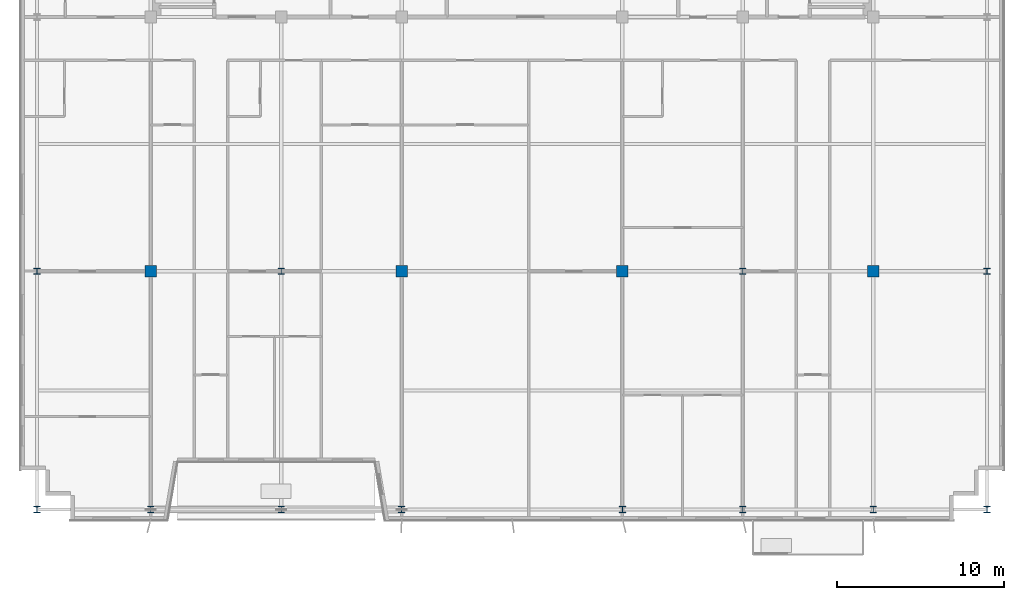
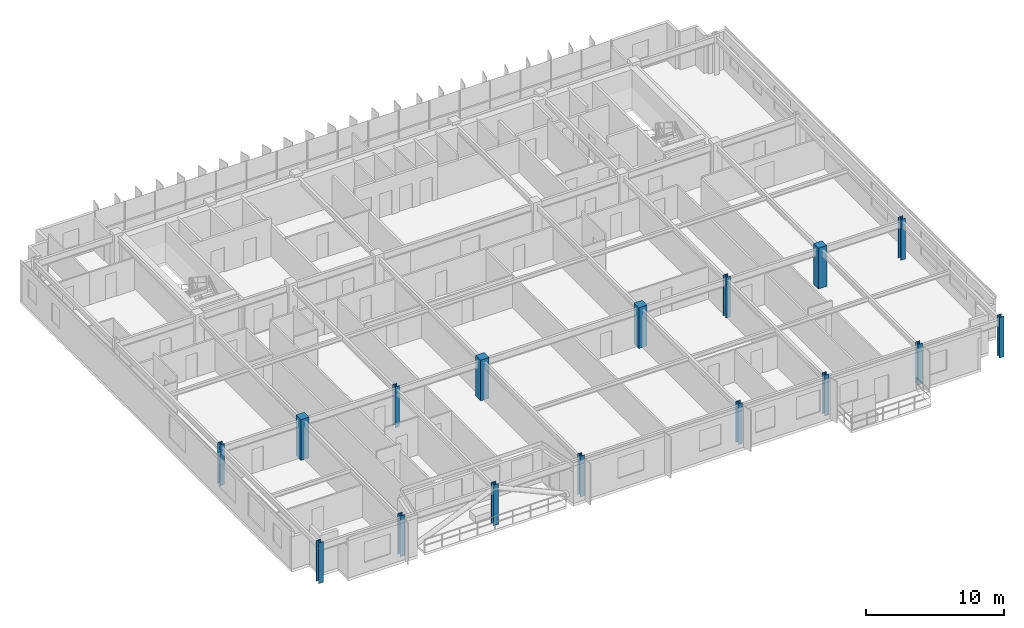
# One storey, part 1 of 20: 16 columns.
"""IFC4 building model written with IfcOpenShell, lengths in metres."""

from ifc_helpers import new_model, si_unit, direction, frame, origin, origin_2d, place, context, subcontext, project, spatial, rectangle, i_section, extrude, source, transform, mapped, material, material_profile, profile_set, type_object, element, save


model = new_model("IFC4")

# Units and contexts
model_context = context("Model", 3, precision=1e-05, world=origin(), true_north=direction((0.0, 1.0)))
body_context = subcontext(model_context, "Body", "Model", "MODEL_VIEW")
ifc_project = project(units=[si_unit("LENGTHUNIT", "METRE"), si_unit("AREAUNIT", "SQUARE_METRE"), si_unit("VOLUMEUNIT", "CUBIC_METRE"), si_unit("PLANEANGLEUNIT", "RADIAN"), si_unit("MASSUNIT", "GRAM", prefix="KILO")], contexts=[model_context])

# Site, building, storey
site_placement = place(None, origin())
site = spatial("IfcSite", under=ifc_project, at=site_placement, CompositionType="ELEMENT")
building_placement = place(site_placement, origin())
building = spatial("IfcBuilding", under=site, at=building_placement, Name="Trelvane Seafront Commons", CompositionType="ELEMENT")
storey_placement = place(building_placement, frame((0.0, 0.0, 171.699951171875)))
storey = spatial("IfcBuildingStorey", under=building, at=storey_placement, Name="L45", CompositionType="ELEMENT", Elevation=171.699951171875)

# Columns
ifc_material_1 = material(Name="Steel SM355 (S355)", Category="steel")
ifc_material_profile_1 = material_profile(ifc_material_1, i_section(OverallWidth=0.3798828125, OverallDepth=0.3798828125, WebThickness=0.02001953125, FlangeThickness=0.030029296875, at=origin_2d()), Name="HD-380x380x20x30")
ifc_profile_set_1 = profile_set([ifc_material_profile_1], Name="Steel SM355 (S355)")
column_type_1 = type_object("IfcColumnType", Name="STR-COL-HD380", PredefinedType="COLUMN", material=ifc_profile_set_1)
shared_shape_1 = source(origin(), body_context, "Body", "SweptSolid", [
    extrude(i_section(OverallWidth=0.3798828125, OverallDepth=0.3798828125, WebThickness=0.02001953125, FlangeThickness=0.030029296875, at=origin_2d()), origin(), (0.0, 0.0, 1.0), 3.60009765625),
])
for number, where, z_axis, x_axis, name in (
    (1, (8.800048828125, 3.949951171875, 0.0), (0.0, 0.0, 1.0), (1.0, 0.0, 0.0), "L45 Column TC-S8.8"),
    (2, (8.800048828125, 18.199951171875, 0.0), (0.0, 0.0, 1.0), (1.0, 0.0, 0.0), "L45 Column TC-M8.8"),
    (3, (15.60009765625, 3.949951171875, 0.0), (0.0, 0.0, 1.0), (1.0, 0.0, 0.0), "L45 Column TC-S15.6"),
    (4, (23.39990234375, 3.949951171875, 0.0), (0.0, 0.0, 1.0), (1.0, 0.0, 0.0), "L45 Column TC-S23.4"),
    (5, (23.39990234375, 18.199951171875, 0.0), (0.0, 0.0, 1.0), (1.0, 0.0, 0.0), "L45 Column TC-M23.4"),
    (6, (30.60009765625, 3.949951171875, 0.0), (0.0, 0.0, 1.0), (1.0, 0.0, 0.0), "L45 Column TC-S30.6"),
    (7, (43.800048828125, 3.949951171875, 0.0), (0.0, 0.0, 1.0), (1.0, 0.0, 0.0), "L45 Column TC-S43.8"),
    (8, (51.0, 3.949951171875, 0.0), (0.0, 0.0, 1.0), (1.0, 0.0, 0.0), "L45 Column TC-S51.0"),
    (9, (51.0, 18.199951171875, 0.0), (0.0, 0.0, 1.0), (1.0, 0.0, 0.0), "L45 Column TC-M51.0"),
    (10, (58.800048828125, 3.949951171875, 0.0), (0.0, 0.0, 1.0), (1.0, 0.0, 0.0), "L45 Column TC-S58.8"),
    (11, (65.60009765625, 3.949951171875, 0.0), (0.0, 0.0, 1.0), (1.0, 0.0, 0.0), "L45 Column TC-S65.6"),
    (12, (65.60009765625, 18.199951171875, 0.0), (0.0, 0.0, 1.0), (1.0, 0.0, 0.0), "L45 Column TC-M65.6"),
):
    element("IfcColumn", number, at=place(storey_placement, frame(where, z_axis=z_axis, x_axis=x_axis)), inside=storey, type_object=column_type_1, Name=name, PredefinedType="COLUMN", context=body_context, shape_type="MappedRepresentation", body=[
        mapped(shared_shape_1, transform((0.0, 0.0, 0.0), x_axis=(1.0, 0.0, 0.0), y_axis=(0.0, 1.0, 0.0), z_axis=(0.0, 0.0, 1.0), scale=1.0)),
    ])
ifc_material_2 = material(Name="Concrete C50/60", Category="concrete")
ifc_material_profile_2 = material_profile(ifc_material_2, rectangle(XDim=0.699951171875, YDim=0.699951171875, at=origin_2d()), Name="RC-700x700")
ifc_profile_set_2 = profile_set([ifc_material_profile_2], Name="Concrete C50/60")
column_type_2 = type_object("IfcColumnType", Name="STR-COL-RC700", PredefinedType="COLUMN", material=ifc_profile_set_2)
shared_shape_2 = source(origin(), body_context, "Body", "SweptSolid", [
    extrude(rectangle(XDim=0.699951171875, YDim=0.699951171875, at=origin_2d()), origin(), (0.0, 0.0, 1.0), 3.60009765625),
])
for number, where, z_axis, x_axis, name in (
    (13, (15.60009765625, 18.199951171875, 0.0), (0.0, 0.0, 1.0), (1.0, 0.0, 0.0), "L45 Column TC-M15.6"),
    (14, (30.60009765625, 18.199951171875, 0.0), (0.0, 0.0, 1.0), (1.0, 0.0, 0.0), "L45 Column TC-M30.6"),
    (15, (43.800048828125, 18.199951171875, 0.0), (0.0, 0.0, 1.0), (1.0, 0.0, 0.0), "L45 Column TC-M43.8"),
    (16, (58.800048828125, 18.199951171875, 0.0), (0.0, 0.0, 1.0), (1.0, 0.0, 0.0), "L45 Column TC-M58.8"),
):
    element("IfcColumn", number, at=place(storey_placement, frame(where, z_axis=z_axis, x_axis=x_axis)), inside=storey, type_object=column_type_2, Name=name, PredefinedType="COLUMN", context=body_context, shape_type="MappedRepresentation", body=[
        mapped(shared_shape_2, transform((0.0, 0.0, 0.0), x_axis=(1.0, 0.0, 0.0), y_axis=(0.0, 1.0, 0.0), z_axis=(0.0, 0.0, 1.0), scale=1.0)),
    ])

save(model, "model.ifc")
